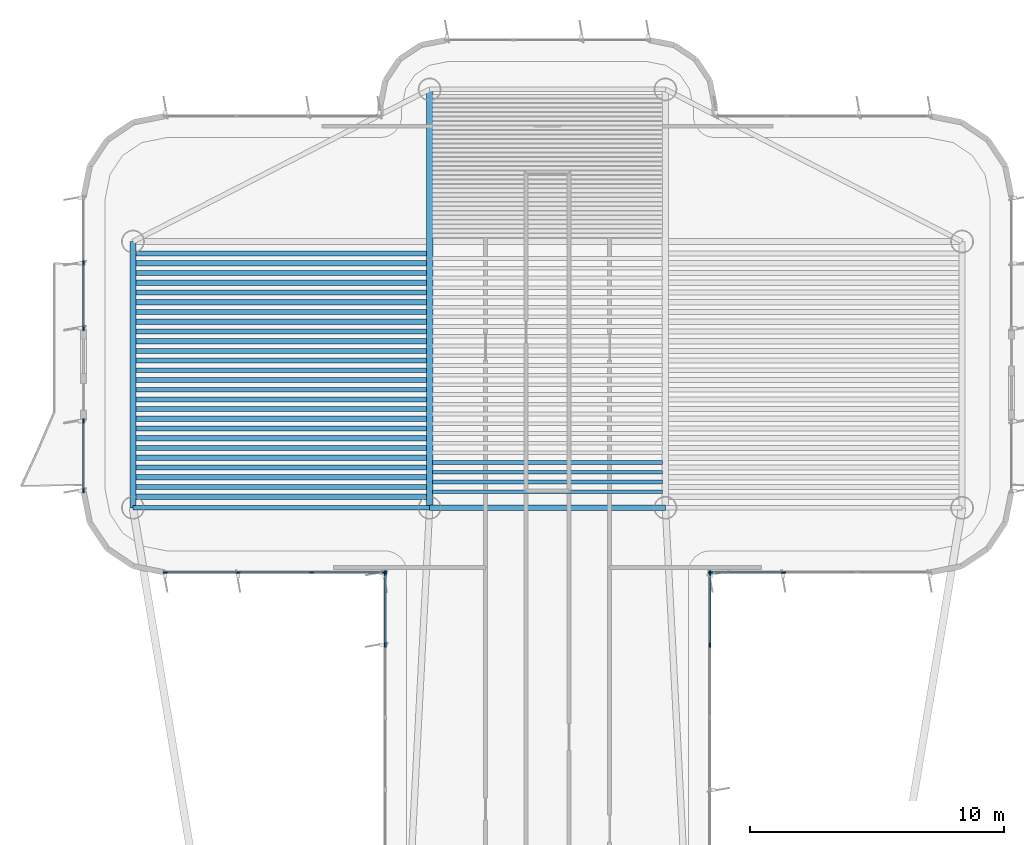
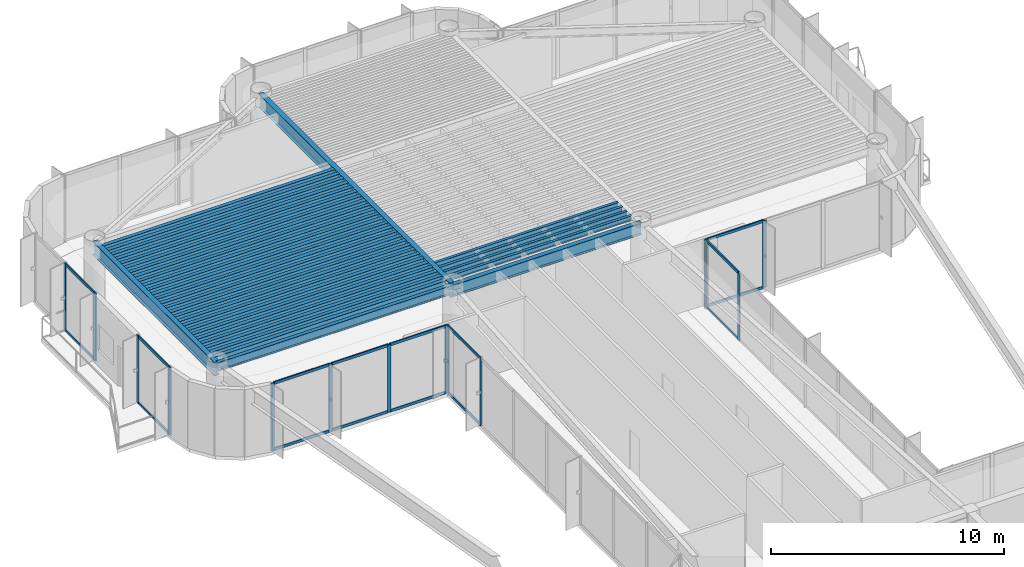
# One storey, part 5 of 14: 34 beams, 30 members, 6 elements without a shape of their own.
"""IFC4 building model written with IfcOpenShell, lengths in metres."""

from ifc_helpers import new_model, si_unit, direction, frame, origin, origin_2d, place, context, subcontext, project, spatial, rectangle, i_section, extrude, source, transform, mapped, material, layer, layer_set, material_profile, profile_set, type_object, element, aggregate, save


model = new_model("IFC4")

# Units and contexts
model_context = context("Model", 3, precision=1e-05, world=origin(), true_north=direction((0.0, 1.0)))
body_context = subcontext(model_context, "Body", "Model", "MODEL_VIEW")
ifc_project = project(units=[si_unit("LENGTHUNIT", "METRE"), si_unit("AREAUNIT", "SQUARE_METRE"), si_unit("VOLUMEUNIT", "CUBIC_METRE"), si_unit("PLANEANGLEUNIT", "RADIAN"), si_unit("MASSUNIT", "GRAM", prefix="KILO")], contexts=[model_context])

# Site, building, storey
site_placement = place(None, origin())
site = spatial("IfcSite", under=ifc_project, at=site_placement, CompositionType="ELEMENT")
building_placement = place(site_placement, origin())
building = spatial("IfcBuilding", under=site, at=building_placement, Name="Brelvock Crest Care Tower", CompositionType="ELEMENT")
storey_placement = place(building_placement, frame((0.0, 0.0, 257.0400390625)))
storey = spatial("IfcBuildingStorey", under=building, at=storey_placement, Name="L65", CompositionType="ELEMENT", Elevation=257.0400390625)

# Beams
ifc_material_1 = material(Name="Steel Grade 350", Category="steel")
ifc_material_profile_1 = material_profile(ifc_material_1, i_section(OverallWidth=0.25, OverallDepth=0.699951171875, WebThickness=0.011962890625, FlangeThickness=0.02001953125, at=origin_2d()), Name="700WB150")
ifc_profile_set_1 = profile_set([ifc_material_profile_1], Name="Steel Grade 350")
beam_type_1 = type_object("IfcBeamType", Name="BM-G4", PredefinedType="BEAM", material=ifc_profile_set_1)
shared_shape_1 = source(origin(), body_context, "Body", "SweptSolid", [
    extrude(i_section(OverallWidth=0.25, OverallDepth=0.699951171875, WebThickness=0.011962890625, FlangeThickness=0.02001953125, at=origin_2d()), origin(), (0.0, 0.0, 1.0), 10.5),
])
beam_1_placement = place(storey_placement, frame((19.64990234375, 43.949951171875, 3.179931640625), z_axis=(0.0, 1.0, 0.0), x_axis=(-1.0, 0.0, 0.0)))
element("IfcBeam", 1, at=beam_1_placement, inside=storey, type_object=beam_type_1, Name="BM-TWR-L65-01", PredefinedType="BEAM", context=body_context, shape_type="MappedRepresentation", body=[
    mapped(shared_shape_1, transform((0.0, 0.0, 0.0), x_axis=(1.0, 0.0, 0.0), y_axis=(0.0, 1.0, 0.0), z_axis=(0.0, 0.0, 1.0), scale=1.0)),
])
ifc_material_profile_2 = material_profile(ifc_material_1, i_section(OverallWidth=0.22900390625, OverallDepth=0.612060546875, WebThickness=0.011962890625, FlangeThickness=0.01953125, FilletRadius=0.013916015625, at=origin_2d()), Name="610UB125")
ifc_profile_set_2 = profile_set([ifc_material_profile_2], Name="Steel Grade 350")
beam_type_2 = type_object("IfcBeamType", Name="BM-G1", PredefinedType="BEAM", material=ifc_profile_set_2)
shared_shape_2 = source(origin(), body_context, "Body", "SweptSolid", [
    extrude(i_section(OverallWidth=0.22900390625, OverallDepth=0.612060546875, WebThickness=0.011962890625, FlangeThickness=0.01953125, FilletRadius=0.013916015625, at=origin_2d()), origin(), (0.0, 0.0, 1.0), 9.2998046875),
])
beam_2_placement = place(storey_placement, frame((31.35009765625, 43.949951171875, 3.223876953125), z_axis=(1.0, 0.0, 0.0), x_axis=(0.0, 1.0, 0.0)))
element("IfcBeam", 2, at=beam_2_placement, inside=storey, type_object=beam_type_2, Name="BM-TWR-L65-05", PredefinedType="BEAM", context=body_context, shape_type="MappedRepresentation", body=[
    mapped(shared_shape_2, transform((0.0, 0.0, 0.0), x_axis=(1.0, 0.0, 0.0), y_axis=(0.0, 1.0, 0.0), z_axis=(0.0, 0.0, 1.0), scale=1.0)),
])
ifc_material_profile_3 = material_profile(ifc_material_1, i_section(OverallWidth=0.14599609375, OverallDepth=0.256103515625, WebThickness=0.00634765625, FlangeThickness=0.010986328125, FilletRadius=0.0087890625, at=origin_2d()), Name="250UB37.3")
ifc_profile_set_3 = profile_set([ifc_material_profile_3], Name="Steel Grade 350")
beam_type_3 = type_object("IfcBeamType", Name="BM-J3", PredefinedType="JOIST", material=ifc_profile_set_3)
shared_shape_3 = source(origin(), body_context, "Body", "SweptSolid", [
    extrude(i_section(OverallWidth=0.14599609375, OverallDepth=0.256103515625, WebThickness=0.00634765625, FlangeThickness=0.010986328125, FilletRadius=0.0087890625, at=origin_2d()), origin(), (0.0, 0.0, 1.0), 9.06982421875),
])
for number, where, z_axis, x_axis, name in (
    (3, (31.465087890625, 44.58251953125, 3.40185546875), (1.0, 0.0, 0.0), (0.0, 1.0, 0.0), "BM-JH-L65-1"),
    (4, (31.465087890625, 44.9658203125, 3.40185546875), (1.0, 0.0, 0.0), (0.0, 1.0, 0.0), "BM-JH-L65-2"),
    (5, (31.465087890625, 45.34912109375, 3.40185546875), (1.0, 0.0, 0.0), (0.0, 1.0, 0.0), "BM-JH-L65-3"),
    (6, (31.465087890625, 45.732421875, 3.40185546875), (1.0, 0.0, 0.0), (0.0, 1.0, 0.0), "BM-JH-L65-4"),
):
    element("IfcBeam", number, at=place(storey_placement, frame(where, z_axis=z_axis, x_axis=x_axis)), inside=storey, type_object=beam_type_3, Name=name, PredefinedType="JOIST", context=body_context, shape_type="MappedRepresentation", body=[
        mapped(shared_shape_3, transform((0.0, 0.0, 0.0), x_axis=(1.0, 0.0, 0.0), y_axis=(0.0, 1.0, 0.0), z_axis=(0.0, 0.0, 1.0), scale=1.0)),
    ])
ifc_material_profile_4 = material_profile(ifc_material_1, i_section(OverallWidth=0.19091796875, OverallDepth=0.4599609375, WebThickness=0.010009765625, FlangeThickness=0.01611328125, FilletRadius=0.011474609375, at=origin_2d()), Name="460UB82.1")
ifc_profile_set_4 = profile_set([ifc_material_profile_4], Name="Steel Grade 350")
beam_type_4 = type_object("IfcBeamType", Name="BM-G3", PredefinedType="BEAM", material=ifc_profile_set_4)
shared_shape_4 = source(origin(), body_context, "Body", "SweptSolid", [
    extrude(i_section(OverallWidth=0.19091796875, OverallDepth=0.4599609375, WebThickness=0.010009765625, FlangeThickness=0.01611328125, FilletRadius=0.011474609375, at=origin_2d()), origin(), (0.0, 0.0, 1.0), 11.47021484375),
])
for number, where, z_axis, x_axis, name in (
    (7, (19.764892578125, 44.7744140625, 3.300048828125), (1.0, 0.0, 0.0), (0.0, 1.0, 0.0), "BM-JW-L65-2"),
    (8, (19.764892578125, 45.540771484375, 3.300048828125), (1.0, 0.0, 0.0), (0.0, 1.0, 0.0), "BM-JW-L65-4"),
    (9, (19.764892578125, 46.307373046875, 3.300048828125), (1.0, 0.0, 0.0), (0.0, 1.0, 0.0), "BM-JW-L65-6"),
    (10, (19.764892578125, 47.07373046875, 3.300048828125), (1.0, 0.0, 0.0), (0.0, 1.0, 0.0), "BM-JW-L65-8"),
    (11, (19.764892578125, 47.84033203125, 3.300048828125), (1.0, 0.0, 0.0), (0.0, 1.0, 0.0), "BM-JW-L65-10"),
    (12, (19.764892578125, 48.606689453125, 3.300048828125), (1.0, 0.0, 0.0), (0.0, 1.0, 0.0), "BM-JW-L65-12"),
    (13, (19.764892578125, 49.373291015625, 3.300048828125), (1.0, 0.0, 0.0), (0.0, 1.0, 0.0), "BM-JW-L65-14"),
    (14, (19.764892578125, 50.139892578125, 3.300048828125), (1.0, 0.0, 0.0), (0.0, 1.0, 0.0), "BM-JW-L65-16"),
    (15, (19.764892578125, 50.90625, 3.300048828125), (1.0, 0.0, 0.0), (0.0, 1.0, 0.0), "BM-JW-L65-18"),
    (16, (19.764892578125, 51.6728515625, 3.300048828125), (1.0, 0.0, 0.0), (0.0, 1.0, 0.0), "BM-JW-L65-20"),
    (17, (19.764892578125, 52.439208984375, 3.300048828125), (1.0, 0.0, 0.0), (0.0, 1.0, 0.0), "BM-JW-L65-22"),
    (18, (19.764892578125, 53.205810546875, 3.300048828125), (1.0, 0.0, 0.0), (0.0, 1.0, 0.0), "BM-JW-L65-24"),
    (19, (19.764892578125, 53.972412109375, 3.300048828125), (1.0, 0.0, 0.0), (0.0, 1.0, 0.0), "BM-JW-L65-26"),
):
    element("IfcBeam", number, at=place(storey_placement, frame(where, z_axis=z_axis, x_axis=x_axis)), inside=storey, type_object=beam_type_4, Name=name, PredefinedType="BEAM", context=body_context, shape_type="MappedRepresentation", body=[
        mapped(shared_shape_4, transform((0.0, 0.0, 0.0), x_axis=(1.0, 0.0, 0.0), y_axis=(0.0, 1.0, 0.0), z_axis=(0.0, 0.0, 1.0), scale=1.0)),
    ])
ifc_material_profile_5 = material_profile(ifc_material_1, i_section(OverallWidth=0.208984375, OverallDepth=0.532958984375, WebThickness=0.01025390625, FlangeThickness=0.015625, FilletRadius=0.013916015625, at=origin_2d()), Name="530UB92.4")
ifc_profile_set_5 = profile_set([ifc_material_profile_5], Name="Steel Grade 350")
beam_type_5 = type_object("IfcBeamType", Name="BM-G2", PredefinedType="BEAM", material=ifc_profile_set_5)
shared_shape_5 = source(origin(), body_context, "Body", "SweptSolid", [
    extrude(i_section(OverallWidth=0.208984375, OverallDepth=0.532958984375, WebThickness=0.01025390625, FlangeThickness=0.015625, FilletRadius=0.013916015625, at=origin_2d()), origin(), (0.0, 0.0, 1.0), 11.47021484375),
])
for number, where, z_axis, x_axis, name in (
    (20, (19.764892578125, 44.39111328125, 3.263427734375), (1.0, 0.0, 0.0), (0.0, 1.0, 0.0), "BM-JW-L65-1"),
    (21, (19.764892578125, 45.157470703125, 3.263427734375), (1.0, 0.0, 0.0), (0.0, 1.0, 0.0), "BM-JW-L65-3"),
    (22, (19.764892578125, 45.924072265625, 3.263427734375), (1.0, 0.0, 0.0), (0.0, 1.0, 0.0), "BM-JW-L65-5"),
    (23, (19.764892578125, 46.6904296875, 3.263427734375), (1.0, 0.0, 0.0), (0.0, 1.0, 0.0), "BM-JW-L65-7"),
    (24, (19.764892578125, 47.45703125, 3.263427734375), (1.0, 0.0, 0.0), (0.0, 1.0, 0.0), "BM-JW-L65-9"),
    (25, (19.764892578125, 48.223388671875, 3.263427734375), (1.0, 0.0, 0.0), (0.0, 1.0, 0.0), "BM-JW-L65-11"),
    (26, (19.764892578125, 48.989990234375, 3.263427734375), (1.0, 0.0, 0.0), (0.0, 1.0, 0.0), "BM-JW-L65-13"),
    (27, (19.764892578125, 49.756591796875, 3.263427734375), (1.0, 0.0, 0.0), (0.0, 1.0, 0.0), "BM-JW-L65-15"),
    (28, (19.764892578125, 50.52294921875, 3.263427734375), (1.0, 0.0, 0.0), (0.0, 1.0, 0.0), "BM-JW-L65-17"),
    (29, (19.764892578125, 51.28955078125, 3.263427734375), (1.0, 0.0, 0.0), (0.0, 1.0, 0.0), "BM-JW-L65-19"),
    (30, (19.764892578125, 52.055908203125, 3.263427734375), (1.0, 0.0, 0.0), (0.0, 1.0, 0.0), "BM-JW-L65-21"),
    (31, (19.764892578125, 52.822509765625, 3.263427734375), (1.0, 0.0, 0.0), (0.0, 1.0, 0.0), "BM-JW-L65-23"),
    (32, (19.764892578125, 53.589111328125, 3.263427734375), (1.0, 0.0, 0.0), (0.0, 1.0, 0.0), "BM-JW-L65-25"),
):
    element("IfcBeam", number, at=place(storey_placement, frame(where, z_axis=z_axis, x_axis=x_axis)), inside=storey, type_object=beam_type_5, Name=name, PredefinedType="BEAM", context=body_context, shape_type="MappedRepresentation", body=[
        mapped(shared_shape_5, transform((0.0, 0.0, 0.0), x_axis=(1.0, 0.0, 0.0), y_axis=(0.0, 1.0, 0.0), z_axis=(0.0, 0.0, 1.0), scale=1.0)),
    ])
ifc_material_profile_6 = material_profile(ifc_material_1, i_section(OverallWidth=0.19091796875, OverallDepth=0.4599609375, WebThickness=0.010009765625, FlangeThickness=0.01611328125, FilletRadius=0.011474609375, at=origin_2d()), Name="460UB82.1")
ifc_profile_set_6 = profile_set([ifc_material_profile_6], Name="Steel Grade 350")
beam_type_6 = type_object("IfcBeamType", Name="BM-SP2", PredefinedType="SPANDREL", material=ifc_profile_set_6)
shared_shape_6 = source(origin(), body_context, "Body", "SweptSolid", [
    extrude(i_section(OverallWidth=0.19091796875, OverallDepth=0.4599609375, WebThickness=0.010009765625, FlangeThickness=0.01611328125, FilletRadius=0.011474609375, at=origin_2d()), origin(), (0.0, 0.0, 1.0), 11.7001953125),
])
beam_3_placement = place(storey_placement, frame((19.64990234375, 43.949951171875, 3.300048828125), z_axis=(1.0, 0.0, 0.0), x_axis=(0.0, 1.0, 0.0)))
element("IfcBeam", 33, at=beam_3_placement, inside=storey, type_object=beam_type_6, Name="BM-TWR-L65-03", PredefinedType="SPANDREL", context=body_context, shape_type="MappedRepresentation", body=[
    mapped(shared_shape_6, transform((0.0, 0.0, 0.0), x_axis=(1.0, 0.0, 0.0), y_axis=(0.0, 1.0, 0.0), z_axis=(0.0, 0.0, 1.0), scale=1.0)),
])
shared_shape_7 = source(origin(), body_context, "Body", "SweptSolid", [
    extrude(i_section(OverallWidth=0.25, OverallDepth=0.699951171875, WebThickness=0.011962890625, FlangeThickness=0.02001953125, at=origin_2d()), origin(), (0.0, 0.0, 1.0), 16.5),
])
beam_4_placement = place(storey_placement, frame((31.35009765625, 43.949951171875, 3.179931640625), z_axis=(0.0, 1.0, 0.0), x_axis=(-1.0, 0.0, 0.0)))
element("IfcBeam", 34, at=beam_4_placement, inside=storey, type_object=beam_type_1, Name="BM-TWR-L65-09", PredefinedType="BEAM", context=body_context, shape_type="MappedRepresentation", body=[
    mapped(shared_shape_7, transform((0.0, 0.0, 0.0), x_axis=(1.0, 0.0, 0.0), y_axis=(0.0, 1.0, 0.0), z_axis=(0.0, 0.0, 1.0), scale=1.0)),
])

# Curtain wall, members
ifc_material_2 = material(Name="Dark Glass Double Glazed Low-E", Category="glass")
ifc_layer = layer(ifc_material_2, 0.239990234375, Name="CWS-5")
ifc_layer_set = layer_set([ifc_layer], Name="Dark Glass Double Glazed Low-E")
curtain_wall_type = type_object("IfcCurtainWallType", Name="CWS-5", PredefinedType="NOTDEFINED", material=ifc_layer_set)
curtain_wall_1_placement = place(storey_placement, origin())
curtain_wall_1 = element("IfcCurtainWall", 35, at=curtain_wall_1_placement, inside=storey, type_object=curtain_wall_type, Name="L65 Curtain Wall E11", PredefinedType="NOTDEFINED")
ifc_material_3 = material(Name="Aluminium 6063-T6", Category="aluminium")
ifc_material_profile_7 = material_profile(ifc_material_3, rectangle(XDim=0.06005859375, YDim=0.179931640625, at=origin_2d()), Name="ALU60x180")
ifc_profile_set_7 = profile_set([ifc_material_profile_7], Name="Aluminium 6063-T6")
member_type_1 = type_object("IfcMemberType", Name="CWM-2", PredefinedType="MULLION", material=ifc_profile_set_7)
shared_shape_8 = source(origin(), body_context, "Body", "SweptSolid", [
    extrude(rectangle(XDim=0.06005859375, YDim=0.179931640625, at=origin_2d()), origin(), (0.0, 0.0, 1.0), 3.530029296875),
])
member_1_placement = place(storey_placement, frame((29.60009765625, 38.54296875, 0.0), z_axis=(0.0, 0.0, 1.0), x_axis=(-1.0, 0.0, 0.0)))
member_1 = element("IfcMember", 36, at=member_1_placement, type_object=member_type_1, Name="CW-5 mullion 7", PredefinedType="MULLION", context=body_context, shape_type="MappedRepresentation", body=[
    mapped(shared_shape_8, transform((0.0, 0.0, 0.0), x_axis=(1.0, 0.0, 0.0), y_axis=(0.0, 1.0, 0.0), z_axis=(0.0, 0.0, 1.0), scale=1.0)),
])
member_2_placement = place(storey_placement, frame((29.60009765625, 41.3701171875, 0.0), z_axis=(0.0, 0.0, 1.0), x_axis=(-1.0, 0.0, 0.0)))
member_2 = element("IfcMember", 37, at=member_2_placement, type_object=member_type_1, Name="CW-5 mullion 8", PredefinedType="MULLION", context=body_context, shape_type="MappedRepresentation", body=[
    mapped(shared_shape_8, transform((0.0, 0.0, 0.0), x_axis=(1.0, 0.0, 0.0), y_axis=(0.0, 1.0, 0.0), z_axis=(0.0, 0.0, 1.0), scale=1.0)),
])

curtain_wall_2_placement = place(storey_placement, origin())
curtain_wall_2 = element("IfcCurtainWall", 38, at=curtain_wall_2_placement, inside=storey, type_object=curtain_wall_type, Name="L65 Curtain Wall E12", PredefinedType="NOTDEFINED")
member_3_placement = place(storey_placement, frame((29.570068359375, 41.39990234375, 0.0), z_axis=(0.0, 0.0, 1.0), x_axis=(0.0, -1.0, 0.0)))
member_3 = element("IfcMember", 39, at=member_3_placement, type_object=member_type_1, Name="CW-5 mullion 1", PredefinedType="MULLION", context=body_context, shape_type="MappedRepresentation", body=[
    mapped(shared_shape_8, transform((0.0, 0.0, 0.0), x_axis=(1.0, 0.0, 0.0), y_axis=(0.0, 1.0, 0.0), z_axis=(0.0, 0.0, 1.0), scale=1.0)),
])
member_4_placement = place(storey_placement, frame((26.699951171875, 41.39990234375, 0.0), z_axis=(0.0, 0.0, 1.0), x_axis=(0.0, -1.0, 0.0)))
member_4 = element("IfcMember", 40, at=member_4_placement, type_object=member_type_1, Name="CW-5 mullion 2", PredefinedType="MULLION", context=body_context, shape_type="MappedRepresentation", body=[
    mapped(shared_shape_8, transform((0.0, 0.0, 0.0), x_axis=(1.0, 0.0, 0.0), y_axis=(0.0, 1.0, 0.0), z_axis=(0.0, 0.0, 1.0), scale=1.0)),
])
member_5_placement = place(storey_placement, frame((23.800048828125, 41.39990234375, 0.0), z_axis=(0.0, 0.0, 1.0), x_axis=(0.0, -1.0, 0.0)))
member_5 = element("IfcMember", 41, at=member_5_placement, type_object=member_type_1, Name="CW-5 mullion 3", PredefinedType="MULLION", context=body_context, shape_type="MappedRepresentation", body=[
    mapped(shared_shape_8, transform((0.0, 0.0, 0.0), x_axis=(1.0, 0.0, 0.0), y_axis=(0.0, 1.0, 0.0), z_axis=(0.0, 0.0, 1.0), scale=1.0)),
])
member_6_placement = place(storey_placement, frame((20.929931640625, 41.39990234375, 0.0), z_axis=(0.0, 0.0, 1.0), x_axis=(0.0, -1.0, 0.0)))
member_6 = element("IfcMember", 42, at=member_6_placement, type_object=member_type_1, Name="CW-5 mullion 4", PredefinedType="MULLION", context=body_context, shape_type="MappedRepresentation", body=[
    mapped(shared_shape_8, transform((0.0, 0.0, 0.0), x_axis=(1.0, 0.0, 0.0), y_axis=(0.0, 1.0, 0.0), z_axis=(0.0, 0.0, 1.0), scale=1.0)),
])

curtain_wall_3_placement = place(storey_placement, origin())
curtain_wall_3 = element("IfcCurtainWall", 43, at=curtain_wall_3_placement, inside=storey, type_object=curtain_wall_type, Name="L65 Curtain Wall E17A", PredefinedType="NOTDEFINED")
member_7_placement = place(storey_placement, frame((17.699951171875, 44.6298828125, 0.0), z_axis=(0.0, 0.0, 1.0), x_axis=(-1.0, 0.0, 0.0)))
member_7 = element("IfcMember", 44, at=member_7_placement, type_object=member_type_1, Name="CW-5 mullion 1", PredefinedType="MULLION", context=body_context, shape_type="MappedRepresentation", body=[
    mapped(shared_shape_8, transform((0.0, 0.0, 0.0), x_axis=(1.0, 0.0, 0.0), y_axis=(0.0, 1.0, 0.0), z_axis=(0.0, 0.0, 1.0), scale=1.0)),
])
member_8_placement = place(storey_placement, frame((17.699951171875, 47.3701171875, 0.0), z_axis=(0.0, 0.0, 1.0), x_axis=(-1.0, 0.0, 0.0)))
member_8 = element("IfcMember", 45, at=member_8_placement, type_object=member_type_1, Name="CW-5 mullion 2", PredefinedType="MULLION", context=body_context, shape_type="MappedRepresentation", body=[
    mapped(shared_shape_8, transform((0.0, 0.0, 0.0), x_axis=(1.0, 0.0, 0.0), y_axis=(0.0, 1.0, 0.0), z_axis=(0.0, 0.0, 1.0), scale=1.0)),
])

curtain_wall_4_placement = place(storey_placement, origin())
curtain_wall_4 = element("IfcCurtainWall", 46, at=curtain_wall_4_placement, inside=storey, type_object=curtain_wall_type, Name="L65 Curtain Wall E17B", PredefinedType="NOTDEFINED")
member_9_placement = place(storey_placement, frame((17.699951171875, 51.030029296875, 0.0), z_axis=(0.0, 0.0, 1.0), x_axis=(-1.0, 0.0, 0.0)))
member_9 = element("IfcMember", 47, at=member_9_placement, type_object=member_type_1, Name="CW-5 mullion 1", PredefinedType="MULLION", context=body_context, shape_type="MappedRepresentation", body=[
    mapped(shared_shape_8, transform((0.0, 0.0, 0.0), x_axis=(1.0, 0.0, 0.0), y_axis=(0.0, 1.0, 0.0), z_axis=(0.0, 0.0, 1.0), scale=1.0)),
])
member_10_placement = place(storey_placement, frame((17.699951171875, 53.60009765625, 0.0), z_axis=(0.0, 0.0, 1.0), x_axis=(-1.0, 0.0, 0.0)))
member_10 = element("IfcMember", 48, at=member_10_placement, type_object=member_type_1, Name="CW-5 mullion 2", PredefinedType="MULLION", context=body_context, shape_type="MappedRepresentation", body=[
    mapped(shared_shape_8, transform((0.0, 0.0, 0.0), x_axis=(1.0, 0.0, 0.0), y_axis=(0.0, 1.0, 0.0), z_axis=(0.0, 0.0, 1.0), scale=1.0)),
])

curtain_wall_5_placement = place(storey_placement, origin())
curtain_wall_5 = element("IfcCurtainWall", 49, at=curtain_wall_5_placement, inside=storey, type_object=curtain_wall_type, Name="L65 Curtain Wall E44", PredefinedType="NOTDEFINED")
member_11_placement = place(storey_placement, frame((45.300048828125, 41.39990234375, 0.0), z_axis=(0.0, 0.0, 1.0), x_axis=(0.0, -1.0, 0.0)))
member_11 = element("IfcMember", 50, at=member_11_placement, type_object=member_type_1, Name="CW-5 mullion 3", PredefinedType="MULLION", context=body_context, shape_type="MappedRepresentation", body=[
    mapped(shared_shape_8, transform((0.0, 0.0, 0.0), x_axis=(1.0, 0.0, 0.0), y_axis=(0.0, 1.0, 0.0), z_axis=(0.0, 0.0, 1.0), scale=1.0)),
])
member_12_placement = place(storey_placement, frame((42.429931640625, 41.39990234375, 0.0), z_axis=(0.0, 0.0, 1.0), x_axis=(0.0, -1.0, 0.0)))
member_12 = element("IfcMember", 51, at=member_12_placement, type_object=member_type_1, Name="CW-5 mullion 4", PredefinedType="MULLION", context=body_context, shape_type="MappedRepresentation", body=[
    mapped(shared_shape_8, transform((0.0, 0.0, 0.0), x_axis=(1.0, 0.0, 0.0), y_axis=(0.0, 1.0, 0.0), z_axis=(0.0, 0.0, 1.0), scale=1.0)),
])

curtain_wall_6_placement = place(storey_placement, origin())
curtain_wall_6 = element("IfcCurtainWall", 52, at=curtain_wall_6_placement, inside=storey, type_object=curtain_wall_type, Name="L65 Curtain Wall E45", PredefinedType="NOTDEFINED")
member_13_placement = place(storey_placement, frame((42.39990234375, 41.3701171875, 0.0), z_axis=(0.0, 0.0, 1.0), x_axis=(1.0, 0.0, 0.0)))
member_13 = element("IfcMember", 53, at=member_13_placement, type_object=member_type_1, Name="CW-5 mullion 1", PredefinedType="MULLION", context=body_context, shape_type="MappedRepresentation", body=[
    mapped(shared_shape_8, transform((0.0, 0.0, 0.0), x_axis=(1.0, 0.0, 0.0), y_axis=(0.0, 1.0, 0.0), z_axis=(0.0, 0.0, 1.0), scale=1.0)),
])
member_14_placement = place(storey_placement, frame((42.39990234375, 38.54296875, 0.0), z_axis=(0.0, 0.0, 1.0), x_axis=(1.0, 0.0, 0.0)))
member_14 = element("IfcMember", 54, at=member_14_placement, type_object=member_type_1, Name="CW-5 mullion 2", PredefinedType="MULLION", context=body_context, shape_type="MappedRepresentation", body=[
    mapped(shared_shape_8, transform((0.0, 0.0, 0.0), x_axis=(1.0, 0.0, 0.0), y_axis=(0.0, 1.0, 0.0), z_axis=(0.0, 0.0, 1.0), scale=1.0)),
])

# Member
ifc_material_profile_8 = material_profile(ifc_material_3, rectangle(XDim=0.06005859375, YDim=0.139892578125, at=origin_2d()), Name="ALU60x140")
ifc_profile_set_8 = profile_set([ifc_material_profile_8], Name="Aluminium 6063-T6")
member_type_2 = type_object("IfcMemberType", Name="CWT-2", PredefinedType="USERDEFINED", material=ifc_profile_set_8)
shared_shape_9 = source(origin(), body_context, "Body", "SweptSolid", [
    extrude(rectangle(XDim=0.06005859375, YDim=0.139892578125, at=origin_2d()), origin(), (0.0, 0.0, 1.0), 2.510009765625),
])
member_15_placement = place(storey_placement, frame((17.699951171875, 51.06005859375, 0.030029296875), z_axis=(0.0, 1.0, 0.0), x_axis=(-1.0, 0.0, 0.0)))
member_15 = element("IfcMember", 55, at=member_15_placement, type_object=member_type_2, Name="CW-5 transom 1.1", ObjectType="TRANSOM", PredefinedType="USERDEFINED", context=body_context, shape_type="MappedRepresentation", body=[
    mapped(shared_shape_9, transform((0.0, 0.0, 0.0), x_axis=(1.0, 0.0, 0.0), y_axis=(0.0, 1.0, 0.0), z_axis=(0.0, 0.0, 1.0), scale=1.0)),
])

member_16_placement = place(storey_placement, frame((17.699951171875, 51.06005859375, 3.5), z_axis=(0.0, 1.0, 0.0), x_axis=(-1.0, 0.0, 0.0)))
member_16 = element("IfcMember", 56, at=member_16_placement, type_object=member_type_2, Name="CW-5 transom 1.2", ObjectType="TRANSOM", PredefinedType="USERDEFINED", context=body_context, shape_type="MappedRepresentation", body=[
    mapped(shared_shape_9, transform((0.0, 0.0, 0.0), x_axis=(1.0, 0.0, 0.0), y_axis=(0.0, 1.0, 0.0), z_axis=(0.0, 0.0, 1.0), scale=1.0)),
])

aggregate(curtain_wall_4, [member_9, member_10, member_15, member_16])

shared_shape_10 = source(origin(), body_context, "Body", "SweptSolid", [
    extrude(rectangle(XDim=0.06005859375, YDim=0.139892578125, at=origin_2d()), origin(), (0.0, 0.0, 1.0), 2.767333984375),
])
member_17_placement = place(storey_placement, frame((29.60009765625, 38.57275390625, 0.030029296875), z_axis=(0.0, 1.0, 0.0), x_axis=(-1.0, 0.0, 0.0)))
member_17 = element("IfcMember", 57, at=member_17_placement, type_object=member_type_2, Name="CW-5 transom 7.1", ObjectType="TRANSOM", PredefinedType="USERDEFINED", context=body_context, shape_type="MappedRepresentation", body=[
    mapped(shared_shape_10, transform((0.0, 0.0, 0.0), x_axis=(1.0, 0.0, 0.0), y_axis=(0.0, 1.0, 0.0), z_axis=(0.0, 0.0, 1.0), scale=1.0)),
])

member_18_placement = place(storey_placement, frame((29.60009765625, 38.57275390625, 3.5), z_axis=(0.0, 1.0, 0.0), x_axis=(-1.0, 0.0, 0.0)))
member_18 = element("IfcMember", 58, at=member_18_placement, type_object=member_type_2, Name="CW-5 transom 7.2", ObjectType="TRANSOM", PredefinedType="USERDEFINED", context=body_context, shape_type="MappedRepresentation", body=[
    mapped(shared_shape_10, transform((0.0, 0.0, 0.0), x_axis=(1.0, 0.0, 0.0), y_axis=(0.0, 1.0, 0.0), z_axis=(0.0, 0.0, 1.0), scale=1.0)),
])

aggregate(curtain_wall_1, [member_1, member_2, member_17, member_18])

member_19_placement = place(storey_placement, frame((42.39990234375, 41.340087890625, 0.030029296875), z_axis=(0.0, -1.0, 0.0), x_axis=(1.0, 0.0, 0.0)))
member_19 = element("IfcMember", 59, at=member_19_placement, type_object=member_type_2, Name="CW-5 transom 1.1", ObjectType="TRANSOM", PredefinedType="USERDEFINED", context=body_context, shape_type="MappedRepresentation", body=[
    mapped(shared_shape_10, transform((0.0, 0.0, 0.0), x_axis=(1.0, 0.0, 0.0), y_axis=(0.0, 1.0, 0.0), z_axis=(0.0, 0.0, 1.0), scale=1.0)),
])

member_20_placement = place(storey_placement, frame((42.39990234375, 41.340087890625, 3.5), z_axis=(0.0, -1.0, 0.0), x_axis=(1.0, 0.0, 0.0)))
member_20 = element("IfcMember", 60, at=member_20_placement, type_object=member_type_2, Name="CW-5 transom 1.2", ObjectType="TRANSOM", PredefinedType="USERDEFINED", context=body_context, shape_type="MappedRepresentation", body=[
    mapped(shared_shape_10, transform((0.0, 0.0, 0.0), x_axis=(1.0, 0.0, 0.0), y_axis=(0.0, 1.0, 0.0), z_axis=(0.0, 0.0, 1.0), scale=1.0)),
])

aggregate(curtain_wall_6, [member_13, member_14, member_19, member_20])

shared_shape_11 = source(origin(), body_context, "Body", "SweptSolid", [
    extrude(rectangle(XDim=0.06005859375, YDim=0.139892578125, at=origin_2d()), origin(), (0.0, 0.0, 1.0), 2.81005859375),
])
member_21_placement = place(storey_placement, frame((29.5400390625, 41.39990234375, 0.030029296875), z_axis=(-1.0, 0.0, 0.0), x_axis=(0.0, -1.0, 0.0)))
member_21 = element("IfcMember", 61, at=member_21_placement, type_object=member_type_2, Name="CW-5 transom 1.1", ObjectType="TRANSOM", PredefinedType="USERDEFINED", context=body_context, shape_type="MappedRepresentation", body=[
    mapped(shared_shape_11, transform((0.0, 0.0, 0.0), x_axis=(1.0, 0.0, 0.0), y_axis=(0.0, 1.0, 0.0), z_axis=(0.0, 0.0, 1.0), scale=1.0)),
])

member_22_placement = place(storey_placement, frame((29.5400390625, 41.39990234375, 3.5), z_axis=(-1.0, 0.0, 0.0), x_axis=(0.0, -1.0, 0.0)))
member_22 = element("IfcMember", 62, at=member_22_placement, type_object=member_type_2, Name="CW-5 transom 1.2", ObjectType="TRANSOM", PredefinedType="USERDEFINED", context=body_context, shape_type="MappedRepresentation", body=[
    mapped(shared_shape_11, transform((0.0, 0.0, 0.0), x_axis=(1.0, 0.0, 0.0), y_axis=(0.0, 1.0, 0.0), z_axis=(0.0, 0.0, 1.0), scale=1.0)),
])

member_23_placement = place(storey_placement, frame((23.77001953125, 41.39990234375, 0.030029296875), z_axis=(-1.0, 0.0, 0.0), x_axis=(0.0, -1.0, 0.0)))
member_23 = element("IfcMember", 63, at=member_23_placement, type_object=member_type_2, Name="CW-5 transom 3.1", ObjectType="TRANSOM", PredefinedType="USERDEFINED", context=body_context, shape_type="MappedRepresentation", body=[
    mapped(shared_shape_11, transform((0.0, 0.0, 0.0), x_axis=(1.0, 0.0, 0.0), y_axis=(0.0, 1.0, 0.0), z_axis=(0.0, 0.0, 1.0), scale=1.0)),
])

member_24_placement = place(storey_placement, frame((23.77001953125, 41.39990234375, 3.5), z_axis=(-1.0, 0.0, 0.0), x_axis=(0.0, -1.0, 0.0)))
member_24 = element("IfcMember", 64, at=member_24_placement, type_object=member_type_2, Name="CW-5 transom 3.2", ObjectType="TRANSOM", PredefinedType="USERDEFINED", context=body_context, shape_type="MappedRepresentation", body=[
    mapped(shared_shape_11, transform((0.0, 0.0, 0.0), x_axis=(1.0, 0.0, 0.0), y_axis=(0.0, 1.0, 0.0), z_axis=(0.0, 0.0, 1.0), scale=1.0)),
])

member_25_placement = place(storey_placement, frame((45.27001953125, 41.39990234375, 0.030029296875), z_axis=(-1.0, 0.0, 0.0), x_axis=(0.0, -1.0, 0.0)))
member_25 = element("IfcMember", 65, at=member_25_placement, type_object=member_type_2, Name="CW-5 transom 3.1", ObjectType="TRANSOM", PredefinedType="USERDEFINED", context=body_context, shape_type="MappedRepresentation", body=[
    mapped(shared_shape_11, transform((0.0, 0.0, 0.0), x_axis=(1.0, 0.0, 0.0), y_axis=(0.0, 1.0, 0.0), z_axis=(0.0, 0.0, 1.0), scale=1.0)),
])

member_26_placement = place(storey_placement, frame((45.27001953125, 41.39990234375, 3.5), z_axis=(-1.0, 0.0, 0.0), x_axis=(0.0, -1.0, 0.0)))
member_26 = element("IfcMember", 66, at=member_26_placement, type_object=member_type_2, Name="CW-5 transom 3.2", ObjectType="TRANSOM", PredefinedType="USERDEFINED", context=body_context, shape_type="MappedRepresentation", body=[
    mapped(shared_shape_11, transform((0.0, 0.0, 0.0), x_axis=(1.0, 0.0, 0.0), y_axis=(0.0, 1.0, 0.0), z_axis=(0.0, 0.0, 1.0), scale=1.0)),
])

aggregate(curtain_wall_5, [member_11, member_12, member_25, member_26])

shared_shape_12 = source(origin(), body_context, "Body", "SweptSolid", [
    extrude(rectangle(XDim=0.06005859375, YDim=0.139892578125, at=origin_2d()), origin(), (0.0, 0.0, 1.0), 2.83984375),
])
member_27_placement = place(storey_placement, frame((26.669921875, 41.39990234375, 0.030029296875), z_axis=(-1.0, 0.0, 0.0), x_axis=(0.0, -1.0, 0.0)))
member_27 = element("IfcMember", 67, at=member_27_placement, type_object=member_type_2, Name="CW-5 transom 2.1", ObjectType="TRANSOM", PredefinedType="USERDEFINED", context=body_context, shape_type="MappedRepresentation", body=[
    mapped(shared_shape_12, transform((0.0, 0.0, 0.0), x_axis=(1.0, 0.0, 0.0), y_axis=(0.0, 1.0, 0.0), z_axis=(0.0, 0.0, 1.0), scale=1.0)),
])

member_28_placement = place(storey_placement, frame((26.669921875, 41.39990234375, 3.5), z_axis=(-1.0, 0.0, 0.0), x_axis=(0.0, -1.0, 0.0)))
member_28 = element("IfcMember", 68, at=member_28_placement, type_object=member_type_2, Name="CW-5 transom 2.2", ObjectType="TRANSOM", PredefinedType="USERDEFINED", context=body_context, shape_type="MappedRepresentation", body=[
    mapped(shared_shape_12, transform((0.0, 0.0, 0.0), x_axis=(1.0, 0.0, 0.0), y_axis=(0.0, 1.0, 0.0), z_axis=(0.0, 0.0, 1.0), scale=1.0)),
])

aggregate(curtain_wall_2, [member_3, member_4, member_5, member_6, member_21, member_22, member_27, member_28, member_23, member_24])

shared_shape_13 = source(origin(), body_context, "Body", "SweptSolid", [
    extrude(rectangle(XDim=0.06005859375, YDim=0.139892578125, at=origin_2d()), origin(), (0.0, 0.0, 1.0), 2.68017578125),
])
member_29_placement = place(storey_placement, frame((17.699951171875, 44.659912109375, 0.030029296875), z_axis=(0.0, 1.0, 0.0), x_axis=(-1.0, 0.0, 0.0)))
member_29 = element("IfcMember", 69, at=member_29_placement, type_object=member_type_2, Name="CW-5 transom 1.1", ObjectType="TRANSOM", PredefinedType="USERDEFINED", context=body_context, shape_type="MappedRepresentation", body=[
    mapped(shared_shape_13, transform((0.0, 0.0, 0.0), x_axis=(1.0, 0.0, 0.0), y_axis=(0.0, 1.0, 0.0), z_axis=(0.0, 0.0, 1.0), scale=1.0)),
])

member_30_placement = place(storey_placement, frame((17.699951171875, 44.659912109375, 3.5), z_axis=(0.0, 1.0, 0.0), x_axis=(-1.0, 0.0, 0.0)))
member_30 = element("IfcMember", 70, at=member_30_placement, type_object=member_type_2, Name="CW-5 transom 1.2", ObjectType="TRANSOM", PredefinedType="USERDEFINED", context=body_context, shape_type="MappedRepresentation", body=[
    mapped(shared_shape_13, transform((0.0, 0.0, 0.0), x_axis=(1.0, 0.0, 0.0), y_axis=(0.0, 1.0, 0.0), z_axis=(0.0, 0.0, 1.0), scale=1.0)),
])

aggregate(curtain_wall_3, [member_7, member_8, member_29, member_30])

save(model, "model.ifc")
